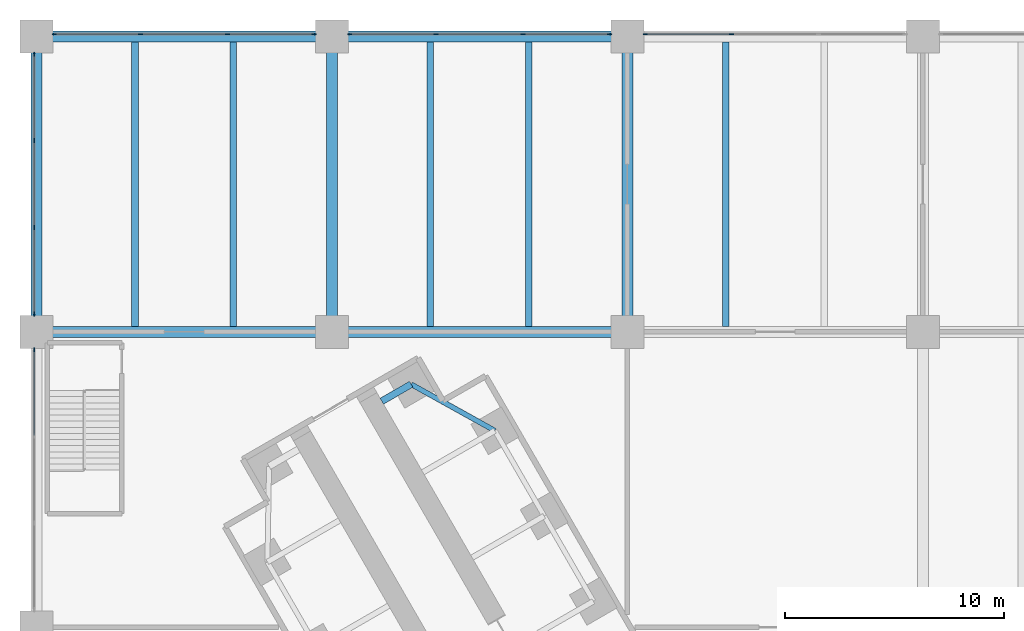
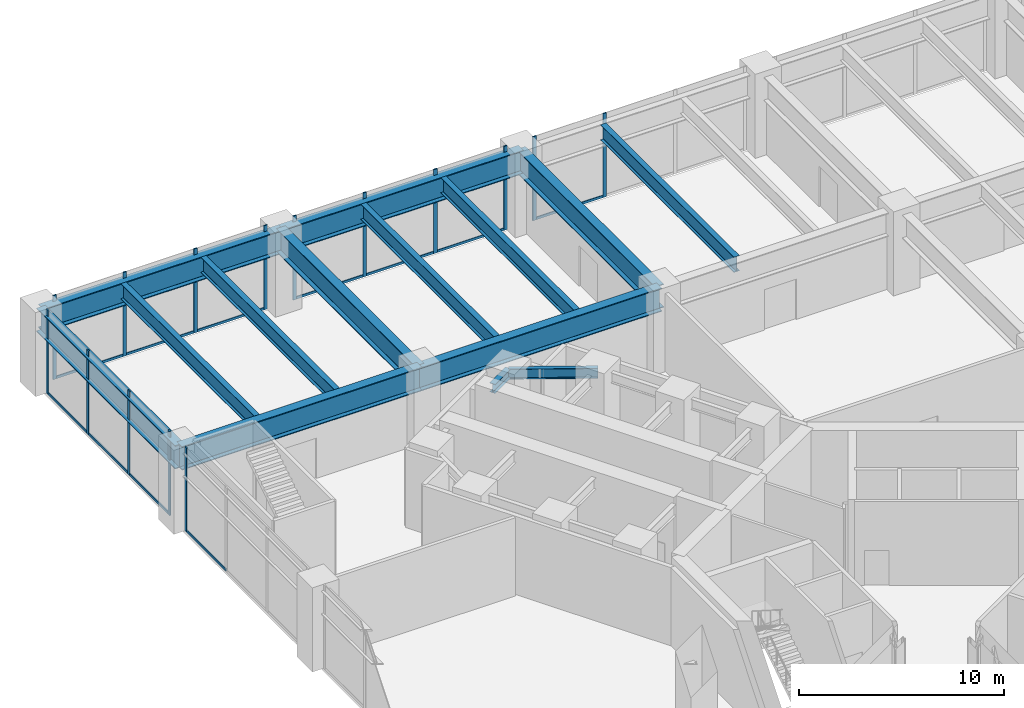
# One storey, part 13 of 32: 26 members, 14 beams, 5 elements without a shape of their own.
"""IFC4 building model written with IfcOpenShell, lengths in metres."""

import ifcopenshell
import ifcopenshell.guid

model = None  # the IFC model being written
_history = None  # IfcOwnerHistory: only IFC2X3 demands one
_inside = {}  # id of a spatial element -> (the spatial element, [elements in it])
_under = {}  # id of a project, library or spatial element -> (it, [spatial elements below it])
_declared = {}  # id of a project -> (the project, [libraries it declares])
_typed = {}  # id of a type object -> (the type object, [elements of that type])
_made_of = {}  # id of a material, layer set ... -> (it, [elements and type objects made of it])


def new_model(schema):
    """Start an empty IFC model of exactly this schema.

    Asked for "IFC4X3", IfcOpenShell would pick the latest addendum, in which some entities
    have other attributes; the version numbers below select the first issue.
    IFC2X3 requires an IfcOwnerHistory on every rooted entity: one is made here for all.
    """
    global model, _history
    if schema == "IFC4X3":
        model = ifcopenshell.file(schema_version=(4, 3, 0, 0))
    else:
        model = ifcopenshell.file(schema=schema)
    _inside.clear()
    _under.clear()
    _declared.clear()
    _typed.clear()
    _made_of.clear()
    _history = None
    if model.schema == "IFC2X3":
        org = make("IfcOrganization", Name="unknown")
        user = make(
            "IfcPersonAndOrganization",
            ThePerson=make("IfcPerson", FamilyName="unknown"),
            TheOrganization=org,
        )
        app = make(
            "IfcApplication",
            ApplicationDeveloper=org,
            Version="unknown",
            ApplicationFullName="unknown",
            ApplicationIdentifier="unknown",
        )
        _history = make(
            "IfcOwnerHistory",
            OwningUser=user,
            OwningApplication=app,
            ChangeAction="ADDED",
            CreationDate=0,
        )
    return model


def make(cls, **values):
    """One entity of the class cls with the attributes given. An attribute that is None is left unset."""
    return model.create_entity(
        cls, **{name: value for name, value in values.items() if value is not None}
    )


def rooted(cls, **values):
    """An entity with a GlobalId (a new one), such as an element, a storey or a relation."""
    return make(cls, GlobalId=ifcopenshell.guid.new(), OwnerHistory=_history, **values)


def si_unit(unit_type, name, prefix=None):
    """IfcSIUnit, for example si_unit("LENGTHUNIT", "METRE", prefix="MILLI")."""
    return make("IfcSIUnit", UnitType=unit_type, Prefix=prefix, Name=name)


def assignment(units):
    """IfcUnitAssignment: the units of a project."""
    return None if units is None else make("IfcUnitAssignment", Units=units)


def point(xyz):
    """IfcCartesianPoint."""
    return None if xyz is None else make("IfcCartesianPoint", Coordinates=xyz)


def direction(xyz):
    """IfcDirection."""
    return None if xyz is None else make("IfcDirection", DirectionRatios=xyz)


def frame(location, z_axis=None, x_axis=None):
    """IfcAxis2Placement3D, a coordinate frame: its origin and axes. An axis left out is left unset."""
    return make(
        "IfcAxis2Placement3D",
        Location=point(location),
        Axis=direction(z_axis),
        RefDirection=direction(x_axis),
    )


def frame_2d(location, x_axis=None):
    """IfcAxis2Placement2D, a coordinate frame in the plane: its origin and x axis."""
    return make(
        "IfcAxis2Placement2D", Location=point(location), RefDirection=direction(x_axis)
    )


def origin():
    """The frame at (0, 0, 0) with its axes left unset."""
    return frame((0.0, 0.0, 0.0))


def origin_2d():
    """The frame at (0, 0) in the plane with its x axis left unset."""
    return frame_2d((0.0, 0.0))


def place(relative_to, where):
    """IfcLocalPlacement: puts the frame where relative to a parent placement (None: the world)."""
    return make(
        "IfcLocalPlacement", PlacementRelTo=relative_to, RelativePlacement=where
    )


def context(
    kind, dimensions, precision=None, world=None, true_north=None, identifier=None
):
    """IfcGeometricRepresentationContext, for example the 3D "Model" context."""
    return make(
        "IfcGeometricRepresentationContext",
        ContextIdentifier=identifier,
        ContextType=kind,
        CoordinateSpaceDimension=dimensions,
        Precision=precision,
        WorldCoordinateSystem=world,
        TrueNorth=true_north,
    )


def subcontext(parent, identifier, kind, view, scale=None):
    """IfcGeometricRepresentationSubContext, for example "Body" below "Model"."""
    return make(
        "IfcGeometricRepresentationSubContext",
        ContextIdentifier=identifier,
        ContextType=kind,
        ParentContext=parent,
        TargetScale=scale,
        TargetView=view,
    )


def project(units=None, contexts=None):
    """IfcProject with its units and contexts."""
    return rooted(
        "IfcProject",
        Name="project",
        RepresentationContexts=contexts,
        UnitsInContext=assignment(units),
    )


def spatial(cls, under=None, at=None, **own):
    """A site, building, storey or space (cls), placed at a placement, below another one or the project."""
    s = rooted(cls, ObjectPlacement=at, **own)
    if under is not None:
        _under.setdefault(under.id(), (under, []))[1].append(s)
    return s


def profile(cls, at=None, kind="AREA", **sizes):
    """A parametric profile (cls). Its sizes go by their IFC names, for example OverallWidth=200.0."""
    return make(cls, ProfileType=kind, Position=at, **sizes)


def rectangle(**sizes):
    """IfcRectangleProfileDef."""
    return profile("IfcRectangleProfileDef", **sizes)


def i_section(**sizes):
    """IfcIShapeProfileDef."""
    return profile("IfcIShapeProfileDef", **sizes)


def extrude(swept, where, along, depth):
    """IfcExtrudedAreaSolid: the profile swept, set in the frame where, extruded along a direction by depth."""
    return make(
        "IfcExtrudedAreaSolid",
        SweptArea=swept,
        Position=where,
        ExtrudedDirection=direction(along),
        Depth=depth,
    )


def shape(context_of_items, identifier, shape_type, items):
    """IfcShapeRepresentation: the items that make up one representation, for example the "Body"."""
    return make(
        "IfcShapeRepresentation",
        ContextOfItems=context_of_items,
        RepresentationIdentifier=identifier,
        RepresentationType=shape_type,
        Items=items,
    )


def material(Name=None, Category=None):
    """IfcMaterial."""
    return make("IfcMaterial", Name=Name, Category=Category)


def material_profile(
    of_material, cross_section, Name=None, Category=None, Priority=None
):
    """IfcMaterialProfile: a cross section and its material."""
    return make(
        "IfcMaterialProfile",
        Name=Name,
        Material=of_material,
        Profile=cross_section,
        Priority=Priority,
        Category=Category,
    )


def profile_set(profiles, Name=None, composite=None):
    """IfcMaterialProfileSet."""
    return make(
        "IfcMaterialProfileSet",
        Name=Name,
        MaterialProfiles=profiles,
        CompositeProfile=composite,
    )


def made_of(thing, what):
    """Note that an element or type object is made of a material, layer set ...; save() writes the relation."""
    if what is not None:
        _made_of.setdefault(what.id(), (what, []))[1].append(thing)
    return thing


def type_object(cls, material=None, **own):
    """A type object (cls), such as IfcWallType, which elements share."""
    return made_of(rooted(cls, **own), material)


def element(
    cls,
    number,
    at=None,
    inside=None,
    cuts=None,
    type_object=None,
    material=None,
    context=None,
    identifier="Body",
    shape_type=None,
    held_by="IfcProductDefinitionShape",
    body=None,
    shapes=None,
    **own,
):
    """One element of the class cls, such as IfcWall. Its Tag is "e" and its number.

    at: its placement. inside: the storey or other place that contains it. cuts: it is an
    opening in that element (IfcRelVoidsElement). A single representation is given by context,
    identifier, shape_type and body (its items); several are given by shapes. held_by: the class
    of the entity that holds the representations. save() writes the other relations.
    """
    e = rooted(cls, Tag="e%d" % number, ObjectPlacement=at, **own)
    if body is not None:
        shapes = [shape(context, identifier, shape_type, body)]
    if shapes is not None:
        e.Representation = make(held_by, Representations=shapes)
    if inside is not None:
        _inside.setdefault(inside.id(), (inside, []))[1].append(e)
    if cuts is not None:
        rooted(
            "IfcRelVoidsElement", RelatingBuildingElement=cuts, RelatedOpeningElement=e
        )
    if type_object is not None:
        _typed.setdefault(type_object.id(), (type_object, []))[1].append(e)
    return made_of(e, material)


def aggregate(whole, parts):
    """IfcRelAggregates: a whole, such as a stair, and the parts it consists of."""
    return rooted("IfcRelAggregates", RelatingObject=whole, RelatedObjects=parts)


def save(model, path):
    """Write the relations noted so far, then the file.

    IfcRelAggregates (storeys below a building ...), IfcRelContainedInSpatialStructure (elements
    in a storey), IfcRelDefinesByType, IfcRelAssociatesMaterial and IfcRelDeclares: one each for
    every whole, place, type object, material and project.
    """
    for whole, parts in _under.values():
        aggregate(whole, parts)
    for where, things in _inside.values():
        rooted(
            "IfcRelContainedInSpatialStructure",
            RelatedElements=things,
            RelatingStructure=where,
        )
    for kind, things in _typed.values():
        rooted("IfcRelDefinesByType", RelatedObjects=things, RelatingType=kind)
    for what, things in _made_of.values():
        rooted("IfcRelAssociatesMaterial", RelatedObjects=things, RelatingMaterial=what)
    for by, libraries in _declared.values():
        rooted("IfcRelDeclares", RelatingContext=by, RelatedDefinitions=libraries)
    model.write(path)


model = new_model("IFC4")

# Units and contexts
model_context = context("Model", 3, precision=1e-05, world=origin(), true_north=direction((0.0, 1.0)))
body_context = subcontext(model_context, "Body", "Model", "MODEL_VIEW")
ifc_project = project(units=[si_unit("LENGTHUNIT", "METRE"), si_unit("AREAUNIT", "SQUARE_METRE"), si_unit("VOLUMEUNIT", "CUBIC_METRE"), si_unit("PLANEANGLEUNIT", "RADIAN"), si_unit("MASSUNIT", "GRAM", prefix="KILO")], contexts=[model_context])

# Site, building, storey
site_placement = place(None, origin())
site = spatial("IfcSite", under=ifc_project, at=site_placement, CompositionType="ELEMENT")
building_placement = place(site_placement, origin())
building = spatial("IfcBuilding", under=site, at=building_placement, Name="Upepo Twin Towers", CompositionType="ELEMENT")
storey_placement = place(building_placement, frame((0.0, 0.0, 10.5)))
storey = spatial("IfcBuildingStorey", under=building, at=storey_placement, Name="L02", CompositionType="ELEMENT", Elevation=10.5)

# Beams
ifc_material_1 = material(Name="Steel S355", Category="steel")
ifc_material_profile_1 = material_profile(ifc_material_1, i_section(OverallWidth=0.5, OverallDepth=1.39990234375, WebThickness=0.02490234375, FlangeThickness=0.050048828125, FilletRadius=0.008056640625, at=origin_2d()), Name="PG 1400x500x25x50")
ifc_profile_set_1 = profile_set([ifc_material_profile_1], Name="Steel S355")
beam_type_1 = type_object("IfcBeamType", Name="Beam PG 1400x500x25x50", PredefinedType="BEAM", material=ifc_profile_set_1)
for number, where, z_axis, x_axis, name in (
    (1, (-27.0, 27.0, 3.949951171875), (1.0, 0.0, 0.0), (0.0, 1.0, 0.0), "Podium girder F/1-2"),
    (2, (-13.5, 27.0, 3.949951171875), (1.0, 0.0, 0.0), (0.0, 1.0, 0.0), "Podium girder F/2-3"),
    (3, (-27.0, 40.5, 3.949951171875), (1.0, 0.0, 0.0), (0.0, 1.0, 0.0), "Podium girder G/1-2"),
    (4, (-13.5, 40.5, 3.949951171875), (1.0, 0.0, 0.0), (0.0, 1.0, 0.0), "Podium girder G/2-3"),
    (5, (-27.0, 27.0, 3.949951171875), (0.0, 1.0, 0.0), (-1.0, 0.0, 0.0), "Podium girder 1/F-G"),
    (6, (-13.5, 27.0, 3.949951171875), (0.0, 1.0, 0.0), (-1.0, 0.0, 0.0), "Podium girder 2/F-G"),
    (7, (0.0, 27.0, 3.949951171875), (0.0, 1.0, 0.0), (-1.0, 0.0, 0.0), "Podium girder 3/F-G"),
):
    element("IfcBeam", number, at=place(storey_placement, frame(where, z_axis=z_axis, x_axis=x_axis)), inside=storey, type_object=beam_type_1, Name=name, PredefinedType="BEAM", context=body_context, shape_type="SweptSolid", body=[
        extrude(i_section(OverallWidth=0.5, OverallDepth=1.39990234375, WebThickness=0.02490234375, FlangeThickness=0.050048828125, FilletRadius=0.008056640625, at=origin_2d()), origin(), (0.0, 0.0, 1.0), 13.5),
    ])
ifc_material_2 = material(Name="Steel S355", Category="steel")
ifc_material_profile_2 = material_profile(ifc_material_2, i_section(OverallWidth=0.31201171875, OverallDepth=0.54345703125, WebThickness=0.0126953125, FlangeThickness=0.020263671875, FilletRadius=0.0126953125, at=origin_2d()), Name="UB 533x312x150")
ifc_profile_set_2 = profile_set([ifc_material_profile_2], Name="Steel S355")
beam_type_2 = type_object("IfcBeamType", Name="Beam UB 533x312x150", PredefinedType="BEAM", material=ifc_profile_set_2)
beam_1_placement = place(storey_placement, frame((-9.87744140625, 24.608154296875, 4.378173828125), z_axis=(-0.866043940782, -0.499967891604, 0.0), x_axis=(0.499967891604, -0.866043940782, 0.0)))
element("IfcBeam", 8, at=beam_1_placement, inside=storey, type_object=beam_type_2, Name="T1 nose beam BR", PredefinedType="BEAM", context=body_context, shape_type="SweptSolid", body=[
    extrude(i_section(OverallWidth=0.31201171875, OverallDepth=0.54345703125, WebThickness=0.0126953125, FlangeThickness=0.020263671875, FilletRadius=0.0126953125, at=origin_2d()), origin(), (0.0, 0.0, 1.0), 1.5498046875),
])
ifc_material_3 = material(Name="Steel S355", Category="steel")
ifc_material_profile_3 = material_profile(ifc_material_3, i_section(OverallWidth=0.228271484375, OverallDepth=0.607666015625, WebThickness=0.010986328125, FlangeThickness=0.017333984375, FilletRadius=0.0126953125, at=origin_2d()), Name="UB 610x229x113")
ifc_profile_set_3 = profile_set([ifc_material_profile_3], Name="Steel S355")
beam_type_3 = type_object("IfcBeamType", Name="Beam UB 610x229x113", PredefinedType="BEAM", material=ifc_profile_set_3)
beam_2_placement = place(storey_placement, frame((-6.053955078125, 22.485595703125, 4.34619140625), z_axis=(-0.874312600038, 0.485363242752, 0.0), x_axis=(-0.485363242752, -0.874312600038, 0.0)))
element("IfcBeam", 9, at=beam_2_placement, inside=storey, type_object=beam_type_3, Name="T1 nose edge beam BR", PredefinedType="BEAM", context=body_context, shape_type="SweptSolid", body=[
    extrude(i_section(OverallWidth=0.228271484375, OverallDepth=0.607666015625, WebThickness=0.010986328125, FlangeThickness=0.017333984375, FilletRadius=0.0126953125, at=origin_2d()), origin(), (0.0, 0.0, 1.0), 4.373046875),
])

# Curtain wall, members
ifc_material_4 = material(Name="Aluminium and clear glass", Category="aluminium")
curtain_wall_type = type_object("IfcCurtainWallType", Name="Podium curtain wall PW1", PredefinedType="NOTDEFINED", material=ifc_material_4)
curtain_wall_1_placement = place(storey_placement, origin())
curtain_wall_1 = element("IfcCurtainWall", 10, at=curtain_wall_1_placement, inside=storey, type_object=curtain_wall_type, Name="Podium L02 curtain wall N7", PredefinedType="NOTDEFINED")
ifc_material_5 = material(Name="Aluminium mullion", Category="aluminium")
ifc_material_profile_4 = material_profile(ifc_material_5, rectangle(XDim=0.06494140625, YDim=0.199951171875, at=origin_2d()), Name="MULLION 65x200 PODIUM")
ifc_profile_set_4 = profile_set([ifc_material_profile_4], Name="Aluminium mullion")
member_type_1 = type_object("IfcMemberType", Name="Mullion 65x200 PW1", PredefinedType="MULLION", material=ifc_profile_set_4)
member_1_placement = place(storey_placement, frame((4.76171875, 40.60009765625, 0.0), z_axis=(0.0, 0.0, 1.0), x_axis=(0.0, -1.0, 0.0)))
member_1 = element("IfcMember", 11, at=member_1_placement, type_object=member_type_1, Name="Podium L02 curtain wall N7 mullion 3", PredefinedType="MULLION", context=body_context, shape_type="SweptSolid", body=[
    extrude(rectangle(XDim=0.06494140625, YDim=0.199951171875, at=origin_2d()), origin(), (0.0, 0.0, 1.0), 5.0),
])
member_2_placement = place(storey_placement, frame((0.8173828125, 40.60009765625, 0.0), z_axis=(0.0, 0.0, 1.0), x_axis=(0.0, -1.0, 0.0)))
member_2 = element("IfcMember", 12, at=member_2_placement, type_object=member_type_1, Name="Podium L02 curtain wall N7 mullion 4", PredefinedType="MULLION", context=body_context, shape_type="SweptSolid", body=[
    extrude(rectangle(XDim=0.06494140625, YDim=0.199951171875, at=origin_2d()), origin(), (0.0, 0.0, 1.0), 5.0),
])

curtain_wall_2_placement = place(storey_placement, origin())
curtain_wall_2 = element("IfcCurtainWall", 13, at=curtain_wall_2_placement, inside=storey, type_object=curtain_wall_type, Name="Podium L02 curtain wall N8", PredefinedType="NOTDEFINED")
member_3_placement = place(storey_placement, frame((-0.8173828125, 40.60009765625, 0.0), z_axis=(0.0, 0.0, 1.0), x_axis=(0.0, -1.0, 0.0)))
member_3 = element("IfcMember", 14, at=member_3_placement, type_object=member_type_1, Name="Podium L02 curtain wall N8 mullion 1", PredefinedType="MULLION", context=body_context, shape_type="SweptSolid", body=[
    extrude(rectangle(XDim=0.06494140625, YDim=0.199951171875, at=origin_2d()), origin(), (0.0, 0.0, 1.0), 5.0),
])
member_4_placement = place(storey_placement, frame((-4.76171875, 40.60009765625, 0.0), z_axis=(0.0, 0.0, 1.0), x_axis=(0.0, -1.0, 0.0)))
member_4 = element("IfcMember", 15, at=member_4_placement, type_object=member_type_1, Name="Podium L02 curtain wall N8 mullion 2", PredefinedType="MULLION", context=body_context, shape_type="SweptSolid", body=[
    extrude(rectangle(XDim=0.06494140625, YDim=0.199951171875, at=origin_2d()), origin(), (0.0, 0.0, 1.0), 5.0),
])
member_5_placement = place(storey_placement, frame((-8.73828125, 40.60009765625, 0.0), z_axis=(0.0, 0.0, 1.0), x_axis=(0.0, -1.0, 0.0)))
member_5 = element("IfcMember", 16, at=member_5_placement, type_object=member_type_1, Name="Podium L02 curtain wall N8 mullion 3", PredefinedType="MULLION", context=body_context, shape_type="SweptSolid", body=[
    extrude(rectangle(XDim=0.06494140625, YDim=0.199951171875, at=origin_2d()), origin(), (0.0, 0.0, 1.0), 5.0),
])
member_6_placement = place(storey_placement, frame((-12.6826171875, 40.60009765625, 0.0), z_axis=(0.0, 0.0, 1.0), x_axis=(0.0, -1.0, 0.0)))
member_6 = element("IfcMember", 17, at=member_6_placement, type_object=member_type_1, Name="Podium L02 curtain wall N8 mullion 4", PredefinedType="MULLION", context=body_context, shape_type="SweptSolid", body=[
    extrude(rectangle(XDim=0.06494140625, YDim=0.199951171875, at=origin_2d()), origin(), (0.0, 0.0, 1.0), 5.0),
])

curtain_wall_3_placement = place(storey_placement, origin())
curtain_wall_3 = element("IfcCurtainWall", 18, at=curtain_wall_3_placement, inside=storey, type_object=curtain_wall_type, Name="Podium L02 curtain wall N9", PredefinedType="NOTDEFINED")
member_7_placement = place(storey_placement, frame((-14.3173828125, 40.60009765625, 0.0), z_axis=(0.0, 0.0, 1.0), x_axis=(0.0, -1.0, 0.0)))
member_7 = element("IfcMember", 19, at=member_7_placement, type_object=member_type_1, Name="Podium L02 curtain wall N9 mullion 1", PredefinedType="MULLION", context=body_context, shape_type="SweptSolid", body=[
    extrude(rectangle(XDim=0.06494140625, YDim=0.199951171875, at=origin_2d()), origin(), (0.0, 0.0, 1.0), 5.0),
])
member_8_placement = place(storey_placement, frame((-18.26171875, 40.60009765625, 0.0), z_axis=(0.0, 0.0, 1.0), x_axis=(0.0, -1.0, 0.0)))
member_8 = element("IfcMember", 20, at=member_8_placement, type_object=member_type_1, Name="Podium L02 curtain wall N9 mullion 2", PredefinedType="MULLION", context=body_context, shape_type="SweptSolid", body=[
    extrude(rectangle(XDim=0.06494140625, YDim=0.199951171875, at=origin_2d()), origin(), (0.0, 0.0, 1.0), 5.0),
])
member_9_placement = place(storey_placement, frame((-22.23828125, 40.60009765625, 0.0), z_axis=(0.0, 0.0, 1.0), x_axis=(0.0, -1.0, 0.0)))
member_9 = element("IfcMember", 21, at=member_9_placement, type_object=member_type_1, Name="Podium L02 curtain wall N9 mullion 3", PredefinedType="MULLION", context=body_context, shape_type="SweptSolid", body=[
    extrude(rectangle(XDim=0.06494140625, YDim=0.199951171875, at=origin_2d()), origin(), (0.0, 0.0, 1.0), 5.0),
])
member_10_placement = place(storey_placement, frame((-26.1826171875, 40.60009765625, 0.0), z_axis=(0.0, 0.0, 1.0), x_axis=(0.0, -1.0, 0.0)))
member_10 = element("IfcMember", 22, at=member_10_placement, type_object=member_type_1, Name="Podium L02 curtain wall N9 mullion 4", PredefinedType="MULLION", context=body_context, shape_type="SweptSolid", body=[
    extrude(rectangle(XDim=0.06494140625, YDim=0.199951171875, at=origin_2d()), origin(), (0.0, 0.0, 1.0), 5.0),
])

curtain_wall_4_placement = place(storey_placement, origin())
curtain_wall_4 = element("IfcCurtainWall", 23, at=curtain_wall_4_placement, inside=storey, type_object=curtain_wall_type, Name="Podium L02 curtain wall W1", PredefinedType="NOTDEFINED")
member_11_placement = place(storey_placement, frame((-27.10009765625, 39.6826171875, 0.0), z_axis=(0.0, 0.0, 1.0), x_axis=(1.0, 0.0, 0.0)))
member_11 = element("IfcMember", 24, at=member_11_placement, type_object=member_type_1, Name="Podium L02 curtain wall W1 mullion 1", PredefinedType="MULLION", context=body_context, shape_type="SweptSolid", body=[
    extrude(rectangle(XDim=0.06494140625, YDim=0.199951171875, at=origin_2d()), origin(), (0.0, 0.0, 1.0), 5.0),
])
member_12_placement = place(storey_placement, frame((-27.10009765625, 35.73828125, 0.0), z_axis=(0.0, 0.0, 1.0), x_axis=(1.0, 0.0, 0.0)))
member_12 = element("IfcMember", 25, at=member_12_placement, type_object=member_type_1, Name="Podium L02 curtain wall W1 mullion 2", PredefinedType="MULLION", context=body_context, shape_type="SweptSolid", body=[
    extrude(rectangle(XDim=0.06494140625, YDim=0.199951171875, at=origin_2d()), origin(), (0.0, 0.0, 1.0), 5.0),
])
member_13_placement = place(storey_placement, frame((-27.10009765625, 31.76171875, 0.0), z_axis=(0.0, 0.0, 1.0), x_axis=(1.0, 0.0, 0.0)))
member_13 = element("IfcMember", 26, at=member_13_placement, type_object=member_type_1, Name="Podium L02 curtain wall W1 mullion 3", PredefinedType="MULLION", context=body_context, shape_type="SweptSolid", body=[
    extrude(rectangle(XDim=0.06494140625, YDim=0.199951171875, at=origin_2d()), origin(), (0.0, 0.0, 1.0), 5.0),
])
member_14_placement = place(storey_placement, frame((-27.10009765625, 27.8173828125, 0.0), z_axis=(0.0, 0.0, 1.0), x_axis=(1.0, 0.0, 0.0)))
member_14 = element("IfcMember", 27, at=member_14_placement, type_object=member_type_1, Name="Podium L02 curtain wall W1 mullion 4", PredefinedType="MULLION", context=body_context, shape_type="SweptSolid", body=[
    extrude(rectangle(XDim=0.06494140625, YDim=0.199951171875, at=origin_2d()), origin(), (0.0, 0.0, 1.0), 5.0),
])

# Curtain wall, member
curtain_wall_5_placement = place(storey_placement, origin())
curtain_wall_5 = element("IfcCurtainWall", 28, at=curtain_wall_5_placement, inside=storey, type_object=curtain_wall_type, Name="Podium L02 curtain wall W2", PredefinedType="NOTDEFINED")
member_15_placement = place(storey_placement, frame((-27.10009765625, 26.1826171875, 0.0), z_axis=(0.0, 0.0, 1.0), x_axis=(1.0, 0.0, 0.0)))
member_15 = element("IfcMember", 29, at=member_15_placement, type_object=member_type_1, Name="Podium L02 curtain wall W2 mullion 1", PredefinedType="MULLION", context=body_context, shape_type="SweptSolid", body=[
    extrude(rectangle(XDim=0.06494140625, YDim=0.199951171875, at=origin_2d()), origin(), (0.0, 0.0, 1.0), 5.0),
])

# Beams
ifc_material_6 = material(Name="Steel S355", Category="steel")
ifc_material_profile_5 = material_profile(ifc_material_6, i_section(OverallWidth=0.305419921875, OverallDepth=0.91845703125, WebThickness=0.017333984375, FlangeThickness=0.02783203125, FilletRadius=0.01904296875, at=origin_2d()), Name="UB 914x305x253")
ifc_profile_set_5 = profile_set([ifc_material_profile_5], Name="Steel S355")
beam_type_4 = type_object("IfcBeamType", Name="Secondary beam UB 914x305x253", PredefinedType="JOIST", material=ifc_profile_set_5)
for number, where, z_axis, x_axis, name in (
    (30, (-22.5, 27.25, 4.19091796875), (0.0, 1.0, 0.0), (-1.0, 0.0, 0.0), "Podium secondary beam F1.1"),
    (31, (-18.0, 27.25, 4.19091796875), (0.0, 1.0, 0.0), (-1.0, 0.0, 0.0), "Podium secondary beam F1.2"),
    (32, (-9.0, 27.25, 4.19091796875), (0.0, 1.0, 0.0), (-1.0, 0.0, 0.0), "Podium secondary beam F2.1"),
    (33, (-4.5, 27.25, 4.19091796875), (0.0, 1.0, 0.0), (-1.0, 0.0, 0.0), "Podium secondary beam F2.2"),
    (34, (4.5, 27.25, 4.19091796875), (0.0, 1.0, 0.0), (-1.0, 0.0, 0.0), "Podium secondary beam F3.1"),
):
    element("IfcBeam", number, at=place(storey_placement, frame(where, z_axis=z_axis, x_axis=x_axis)), inside=storey, type_object=beam_type_4, Name=name, PredefinedType="JOIST", context=body_context, shape_type="SweptSolid", body=[
        extrude(i_section(OverallWidth=0.305419921875, OverallDepth=0.91845703125, WebThickness=0.017333984375, FlangeThickness=0.02783203125, FilletRadius=0.01904296875, at=origin_2d()), origin(), (0.0, 0.0, 1.0), 13.0),
    ])

# Member
ifc_material_7 = material(Name="Aluminium transom", Category="aluminium")
ifc_material_profile_6 = material_profile(ifc_material_7, rectangle(XDim=0.06494140625, YDim=0.14990234375, at=origin_2d()), Name="TRANSOM 65x150 PODIUM")
ifc_profile_set_6 = profile_set([ifc_material_profile_6], Name="Aluminium transom")
member_type_2 = type_object("IfcMemberType", Name="Transom 65x150 PW1", PredefinedType="USERDEFINED", material=ifc_profile_set_6)
member_16_placement = place(storey_placement, frame((4.729248046875, 40.60009765625, 0.074951171875), z_axis=(-1.0, 0.0, 0.0), x_axis=(0.0, -1.0, 0.0)))
member_16 = element("IfcMember", 35, at=member_16_placement, type_object=member_type_2, Name="Podium L02 curtain wall N7 transom 3", ObjectType="TRANSOM", PredefinedType="USERDEFINED", context=body_context, shape_type="SweptSolid", body=[
    extrude(rectangle(XDim=0.06494140625, YDim=0.14990234375, at=origin_2d()), origin(), (0.0, 0.0, 1.0), 3.879150390625),
])

aggregate(curtain_wall_1, [member_1, member_2, member_16])

member_17_placement = place(storey_placement, frame((-0.85009765625, 40.60009765625, 0.074951171875), z_axis=(-1.0, 0.0, 0.0), x_axis=(0.0, -1.0, 0.0)))
member_17 = element("IfcMember", 36, at=member_17_placement, type_object=member_type_2, Name="Podium L02 curtain wall N8 transom 1", ObjectType="TRANSOM", PredefinedType="USERDEFINED", context=body_context, shape_type="SweptSolid", body=[
    extrude(rectangle(XDim=0.06494140625, YDim=0.14990234375, at=origin_2d()), origin(), (0.0, 0.0, 1.0), 3.879150390625),
])

member_18_placement = place(storey_placement, frame((-4.794189453125, 40.60009765625, 0.074951171875), z_axis=(-1.0, 0.0, 0.0), x_axis=(0.0, -1.0, 0.0)))
member_18 = element("IfcMember", 37, at=member_18_placement, type_object=member_type_2, Name="Podium L02 curtain wall N8 transom 2", ObjectType="TRANSOM", PredefinedType="USERDEFINED", context=body_context, shape_type="SweptSolid", body=[
    extrude(rectangle(XDim=0.06494140625, YDim=0.14990234375, at=origin_2d()), origin(), (0.0, 0.0, 1.0), 3.91162109375),
])

member_19_placement = place(storey_placement, frame((-8.770751953125, 40.60009765625, 0.074951171875), z_axis=(-1.0, 0.0, 0.0), x_axis=(0.0, -1.0, 0.0)))
member_19 = element("IfcMember", 38, at=member_19_placement, type_object=member_type_2, Name="Podium L02 curtain wall N8 transom 3", ObjectType="TRANSOM", PredefinedType="USERDEFINED", context=body_context, shape_type="SweptSolid", body=[
    extrude(rectangle(XDim=0.06494140625, YDim=0.14990234375, at=origin_2d()), origin(), (0.0, 0.0, 1.0), 3.879150390625),
])

aggregate(curtain_wall_2, [member_3, member_4, member_5, member_6, member_17, member_18, member_19])

member_20_placement = place(storey_placement, frame((-14.35009765625, 40.60009765625, 0.074951171875), z_axis=(-1.0, 0.0, 0.0), x_axis=(0.0, -1.0, 0.0)))
member_20 = element("IfcMember", 39, at=member_20_placement, type_object=member_type_2, Name="Podium L02 curtain wall N9 transom 1", ObjectType="TRANSOM", PredefinedType="USERDEFINED", context=body_context, shape_type="SweptSolid", body=[
    extrude(rectangle(XDim=0.06494140625, YDim=0.14990234375, at=origin_2d()), origin(), (0.0, 0.0, 1.0), 3.879150390625),
])

member_21_placement = place(storey_placement, frame((-18.294189453125, 40.60009765625, 0.074951171875), z_axis=(-1.0, 0.0, 0.0), x_axis=(0.0, -1.0, 0.0)))
member_21 = element("IfcMember", 40, at=member_21_placement, type_object=member_type_2, Name="Podium L02 curtain wall N9 transom 2", ObjectType="TRANSOM", PredefinedType="USERDEFINED", context=body_context, shape_type="SweptSolid", body=[
    extrude(rectangle(XDim=0.06494140625, YDim=0.14990234375, at=origin_2d()), origin(), (0.0, 0.0, 1.0), 3.91162109375),
])

member_22_placement = place(storey_placement, frame((-22.270751953125, 40.60009765625, 0.074951171875), z_axis=(-1.0, 0.0, 0.0), x_axis=(0.0, -1.0, 0.0)))
member_22 = element("IfcMember", 41, at=member_22_placement, type_object=member_type_2, Name="Podium L02 curtain wall N9 transom 3", ObjectType="TRANSOM", PredefinedType="USERDEFINED", context=body_context, shape_type="SweptSolid", body=[
    extrude(rectangle(XDim=0.06494140625, YDim=0.14990234375, at=origin_2d()), origin(), (0.0, 0.0, 1.0), 3.879150390625),
])

aggregate(curtain_wall_3, [member_7, member_8, member_9, member_10, member_20, member_21, member_22])

member_23_placement = place(storey_placement, frame((-27.10009765625, 39.64990234375, 0.074951171875), z_axis=(0.0, -1.0, 0.0), x_axis=(1.0, 0.0, 0.0)))
member_23 = element("IfcMember", 42, at=member_23_placement, type_object=member_type_2, Name="Podium L02 curtain wall W1 transom 1", ObjectType="TRANSOM", PredefinedType="USERDEFINED", context=body_context, shape_type="SweptSolid", body=[
    extrude(rectangle(XDim=0.06494140625, YDim=0.14990234375, at=origin_2d()), origin(), (0.0, 0.0, 1.0), 3.879150390625),
])

member_24_placement = place(storey_placement, frame((-27.10009765625, 35.705810546875, 0.074951171875), z_axis=(0.0, -1.0, 0.0), x_axis=(1.0, 0.0, 0.0)))
member_24 = element("IfcMember", 43, at=member_24_placement, type_object=member_type_2, Name="Podium L02 curtain wall W1 transom 2", ObjectType="TRANSOM", PredefinedType="USERDEFINED", context=body_context, shape_type="SweptSolid", body=[
    extrude(rectangle(XDim=0.06494140625, YDim=0.14990234375, at=origin_2d()), origin(), (0.0, 0.0, 1.0), 3.91162109375),
])

member_25_placement = place(storey_placement, frame((-27.10009765625, 31.729248046875, 0.074951171875), z_axis=(0.0, -1.0, 0.0), x_axis=(1.0, 0.0, 0.0)))
member_25 = element("IfcMember", 44, at=member_25_placement, type_object=member_type_2, Name="Podium L02 curtain wall W1 transom 3", ObjectType="TRANSOM", PredefinedType="USERDEFINED", context=body_context, shape_type="SweptSolid", body=[
    extrude(rectangle(XDim=0.06494140625, YDim=0.14990234375, at=origin_2d()), origin(), (0.0, 0.0, 1.0), 3.879150390625),
])

aggregate(curtain_wall_4, [member_11, member_12, member_13, member_14, member_23, member_24, member_25])

member_26_placement = place(storey_placement, frame((-27.10009765625, 26.14990234375, 0.074951171875), z_axis=(0.0, -1.0, 0.0), x_axis=(1.0, 0.0, 0.0)))
member_26 = element("IfcMember", 45, at=member_26_placement, type_object=member_type_2, Name="Podium L02 curtain wall W2 transom 1", ObjectType="TRANSOM", PredefinedType="USERDEFINED", context=body_context, shape_type="SweptSolid", body=[
    extrude(rectangle(XDim=0.06494140625, YDim=0.14990234375, at=origin_2d()), origin(), (0.0, 0.0, 1.0), 3.879150390625),
])

aggregate(curtain_wall_5, [member_15, member_26])

save(model, "model.ifc")
